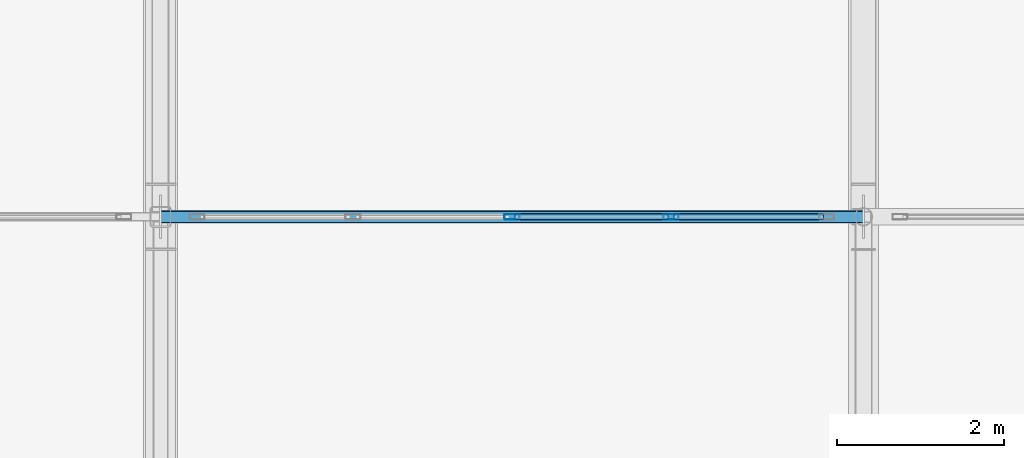
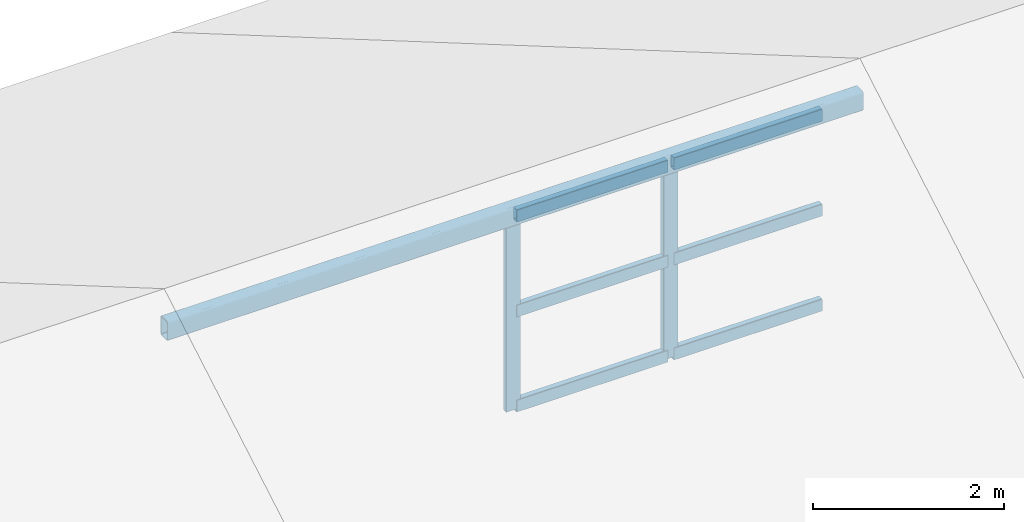
# One storey, part 14 of 54: 9 members, 1 element without a shape of its own.
"""IFC4 building model written with IfcOpenShell, lengths in metres."""

from ifc_helpers import new_model, si_unit, direction, frame, origin, origin_2d, place, context, subcontext, project, spatial, hollow_rectangle, extrude, material, layer, layer_set, material_profile, profile_set, type_object, element, aggregate, save


model = new_model("IFC4")

# Units and contexts
model_context = context("Model", 3, precision=1e-05, world=origin(), true_north=direction((0.0, 1.0)))
body_context = subcontext(model_context, "Body", "Model", "MODEL_VIEW")
ifc_project = project(units=[si_unit("LENGTHUNIT", "METRE"), si_unit("AREAUNIT", "SQUARE_METRE"), si_unit("VOLUMEUNIT", "CUBIC_METRE"), si_unit("PLANEANGLEUNIT", "RADIAN"), si_unit("MASSUNIT", "GRAM", prefix="KILO")], contexts=[model_context])

# Site, building, storey
site_placement = place(None, origin())
site = spatial("IfcSite", under=ifc_project, at=site_placement, CompositionType="ELEMENT")
building_placement = place(site_placement, origin())
building = spatial("IfcBuilding", under=site, at=building_placement, Name="Zulmaris Art Gallery", CompositionType="ELEMENT")
storey_placement = place(building_placement, frame((0.0, 0.0, 26.39990234375)))
storey = spatial("IfcBuildingStorey", under=building, at=storey_placement, Name="L05", CompositionType="ELEMENT", Elevation=26.39990234375)

# Curtain wall, members
ifc_material_1 = material(Name="Pitched Roof North-Light Clerestory Wall", Category="aluminium")
ifc_layer = layer(ifc_material_1, 0.179931640625)
ifc_layer_set = layer_set([ifc_layer], Name="Pitched Roof North-Light Clerestory Wall")
curtain_wall_type = type_object("IfcCurtainWallType", Name="CW-CW05", PredefinedType="NOTDEFINED", material=ifc_layer_set)
curtain_wall_placement = place(storey_placement, origin())
curtain_wall = element("IfcCurtainWall", 1, at=curtain_wall_placement, inside=storey, type_object=curtain_wall_type, Name="L05 curtain wall 48", PredefinedType="NOTDEFINED")
ifc_material_2 = material(Name="Anodised Bronze Aluminium", Category="aluminium")
ifc_material_profile_1 = material_profile(ifc_material_2, hollow_rectangle(XDim=0.06494140625, YDim=0.179931640625, WallThickness=0.00390625, InnerFilletRadius=0.006103515625, OuterFilletRadius=0.010009765625, at=origin_2d()), Name="ALU 65x180x4")
ifc_profile_set_1 = profile_set([ifc_material_profile_1], Name="Anodised Bronze Aluminium")
member_type_1 = type_object("IfcMemberType", Name="CWMUL-01", PredefinedType="MULLION", material=ifc_profile_set_1)
member_1_placement = place(storey_placement, frame((53.39990234375, 36.0, 5.400146484375), z_axis=(0.0, 0.0, 1.0), x_axis=(0.0, 1.0, 0.0)))
member_1 = element("IfcMember", 2, at=member_1_placement, type_object=member_type_1, Name="CW05 mullion 3", PredefinedType="MULLION", context=body_context, shape_type="SweptSolid", body=[
    extrude(hollow_rectangle(XDim=0.06494140625, YDim=0.179931640625, WallThickness=0.00390625, InnerFilletRadius=0.006103515625, OuterFilletRadius=0.010009765625, at=origin_2d()), origin(), (0.0, 0.0, 1.0), 2.5),
])
member_2_placement = place(storey_placement, frame((55.300048828125, 36.0, 5.400146484375), z_axis=(0.0, 0.0, 1.0), x_axis=(0.0, 1.0, 0.0)))
member_2 = element("IfcMember", 3, at=member_2_placement, type_object=member_type_1, Name="CW05 mullion 4", PredefinedType="MULLION", context=body_context, shape_type="SweptSolid", body=[
    extrude(hollow_rectangle(XDim=0.06494140625, YDim=0.179931640625, WallThickness=0.00390625, InnerFilletRadius=0.006103515625, OuterFilletRadius=0.010009765625, at=origin_2d()), origin(), (0.0, 0.0, 1.0), 2.5),
])
ifc_material_profile_2 = material_profile(ifc_material_2, hollow_rectangle(XDim=0.074951171875, YDim=0.159912109375, WallThickness=0.00390625, InnerFilletRadius=0.006103515625, OuterFilletRadius=0.010009765625, at=origin_2d()), Name="ALU 75x160x4")
ifc_profile_set_2 = profile_set([ifc_material_profile_2], Name="Anodised Bronze Aluminium")
member_type_2 = type_object("IfcMemberType", Name="CWTRN-02", PredefinedType="USERDEFINED", material=ifc_profile_set_2)
member_3_placement = place(storey_placement, frame((53.4375, 36.0, 5.4375), z_axis=(1.0, 0.0, 0.0), x_axis=(0.0, 1.0, 0.0)))
member_3 = element("IfcMember", 4, at=member_3_placement, type_object=member_type_2, Name="CW05 transom 3.1", ObjectType="TRANSOM", PredefinedType="USERDEFINED", context=body_context, shape_type="SweptSolid", body=[
    extrude(hollow_rectangle(XDim=0.074951171875, YDim=0.159912109375, WallThickness=0.00390625, InnerFilletRadius=0.006103515625, OuterFilletRadius=0.010009765625, at=origin_2d()), origin(), (0.0, 0.0, 1.0), 1.824951171875),
])
member_4_placement = place(storey_placement, frame((53.4375, 36.0, 6.650146484375), z_axis=(1.0, 0.0, 0.0), x_axis=(0.0, 1.0, 0.0)))
member_4 = element("IfcMember", 5, at=member_4_placement, type_object=member_type_2, Name="CW05 transom 3.2", ObjectType="TRANSOM", PredefinedType="USERDEFINED", context=body_context, shape_type="SweptSolid", body=[
    extrude(hollow_rectangle(XDim=0.074951171875, YDim=0.159912109375, WallThickness=0.00390625, InnerFilletRadius=0.006103515625, OuterFilletRadius=0.010009765625, at=origin_2d()), origin(), (0.0, 0.0, 1.0), 1.824951171875),
])
member_5_placement = place(storey_placement, frame((53.4375, 36.0, 7.862548828125), z_axis=(1.0, 0.0, 0.0), x_axis=(0.0, 1.0, 0.0)))
member_5 = element("IfcMember", 6, at=member_5_placement, type_object=member_type_2, Name="CW05 transom 3.3", ObjectType="TRANSOM", PredefinedType="USERDEFINED", context=body_context, shape_type="SweptSolid", body=[
    extrude(hollow_rectangle(XDim=0.074951171875, YDim=0.159912109375, WallThickness=0.00390625, InnerFilletRadius=0.006103515625, OuterFilletRadius=0.010009765625, at=origin_2d()), origin(), (0.0, 0.0, 1.0), 1.824951171875),
])
member_6_placement = place(storey_placement, frame((55.33740234375, 36.0, 5.4375), z_axis=(1.0, 0.0, 0.0), x_axis=(0.0, 1.0, 0.0)))
member_6 = element("IfcMember", 7, at=member_6_placement, type_object=member_type_2, Name="CW05 transom 4.1", ObjectType="TRANSOM", PredefinedType="USERDEFINED", context=body_context, shape_type="SweptSolid", body=[
    extrude(hollow_rectangle(XDim=0.074951171875, YDim=0.159912109375, WallThickness=0.00390625, InnerFilletRadius=0.006103515625, OuterFilletRadius=0.010009765625, at=origin_2d()), origin(), (0.0, 0.0, 1.0), 1.78759765625),
])
member_7_placement = place(storey_placement, frame((55.33740234375, 36.0, 6.650146484375), z_axis=(1.0, 0.0, 0.0), x_axis=(0.0, 1.0, 0.0)))
member_7 = element("IfcMember", 8, at=member_7_placement, type_object=member_type_2, Name="CW05 transom 4.2", ObjectType="TRANSOM", PredefinedType="USERDEFINED", context=body_context, shape_type="SweptSolid", body=[
    extrude(hollow_rectangle(XDim=0.074951171875, YDim=0.159912109375, WallThickness=0.00390625, InnerFilletRadius=0.006103515625, OuterFilletRadius=0.010009765625, at=origin_2d()), origin(), (0.0, 0.0, 1.0), 1.78759765625),
])
member_8_placement = place(storey_placement, frame((55.33740234375, 36.0, 7.862548828125), z_axis=(1.0, 0.0, 0.0), x_axis=(0.0, 1.0, 0.0)))
member_8 = element("IfcMember", 9, at=member_8_placement, type_object=member_type_2, Name="CW05 transom 4.3", ObjectType="TRANSOM", PredefinedType="USERDEFINED", context=body_context, shape_type="SweptSolid", body=[
    extrude(hollow_rectangle(XDim=0.074951171875, YDim=0.159912109375, WallThickness=0.00390625, InnerFilletRadius=0.006103515625, OuterFilletRadius=0.010009765625, at=origin_2d()), origin(), (0.0, 0.0, 1.0), 1.78759765625),
])
aggregate(curtain_wall, [member_1, member_2, member_3, member_4, member_5, member_6, member_7, member_8])

# Member
ifc_material_3 = material(Name="Steel S355J2H", Category="steel")
ifc_material_profile_3 = material_profile(ifc_material_3, hollow_rectangle(XDim=0.14990234375, YDim=0.25, WallThickness=0.010009765625, InnerFilletRadius=0.014892578125, OuterFilletRadius=0.02490234375, at=origin_2d()), Name="RHS 250x150x10")
ifc_profile_set_3 = profile_set([ifc_material_profile_3], Name="Steel S355J2H")
member_type_3 = type_object("IfcMemberType", Name="MEM-PR02", PredefinedType="PURLIN", material=ifc_profile_set_3)
member_9_placement = place(storey_placement, frame((49.199951171875, 36.0, 7.89501953125), z_axis=(1.0, 0.0, 0.0), x_axis=(0.0, 1.0, 0.0)))
element("IfcMember", 10, at=member_9_placement, inside=storey, type_object=member_type_3, Name="Skylight roof purlin bay 6 line 3", PredefinedType="PURLIN", context=body_context, shape_type="SweptSolid", body=[
    extrude(hollow_rectangle(XDim=0.14990234375, YDim=0.25, WallThickness=0.010009765625, InnerFilletRadius=0.014892578125, OuterFilletRadius=0.02490234375, at=origin_2d()), origin(), (0.0, 0.0, 1.0), 8.400146484375),
])

save(model, "model.ifc")
